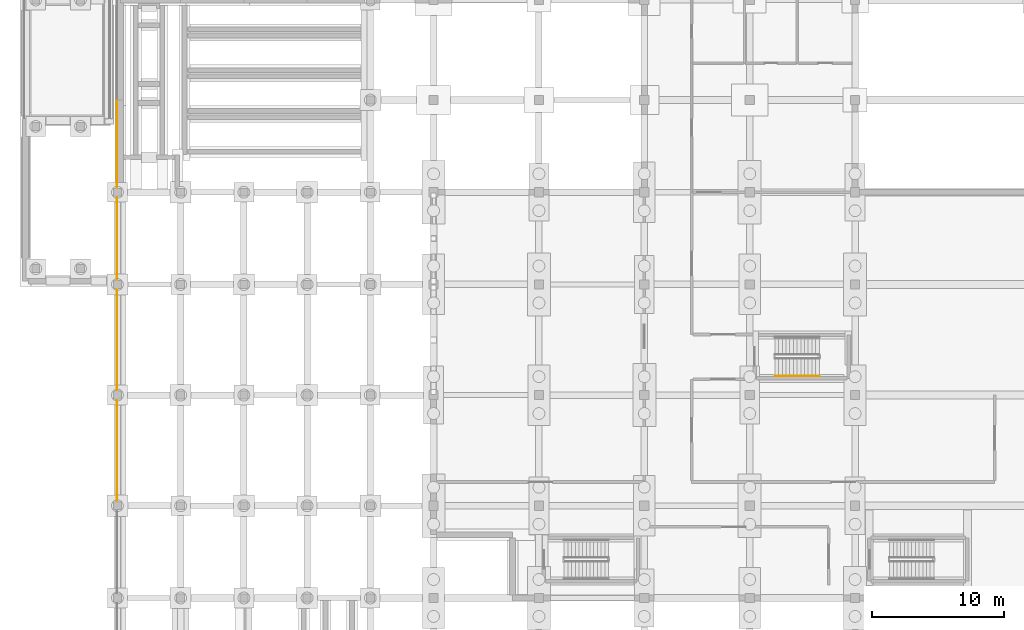
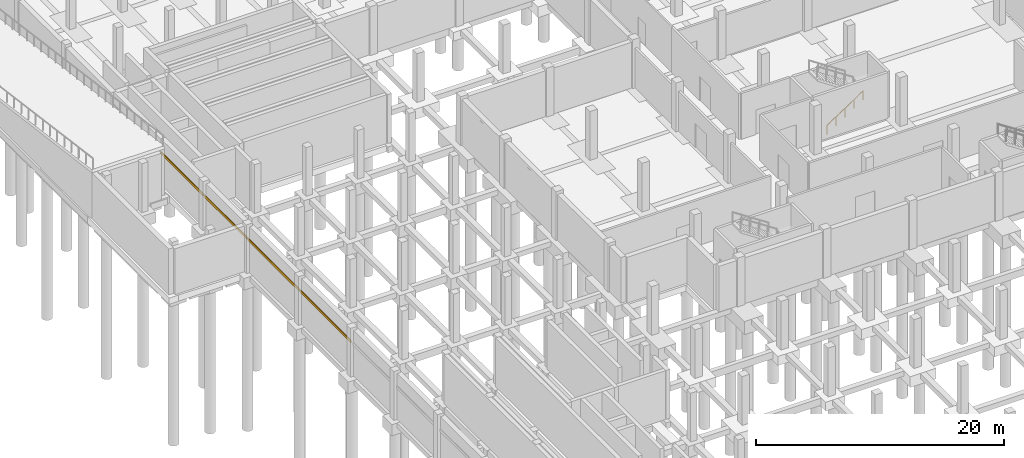
# One storey, part 44 of 50: 4 coverings, 1 railing.
"""IFC4 building model written with IfcOpenShell, lengths in metres."""

from ifc_helpers import new_model, si_unit, direction, frame, origin, origin_2d, place, context, subcontext, project, spatial, rectangle, circle, extrude, material, layer, layer_set, type_object, element, save


model = new_model("IFC4")

# Units and contexts
model_context = context("Model", 3, precision=1e-05, world=origin(), true_north=direction((0.0, 1.0)))
body_context = subcontext(model_context, "Body", "Model", "MODEL_VIEW")
ifc_project = project(units=[si_unit("LENGTHUNIT", "METRE"), si_unit("AREAUNIT", "SQUARE_METRE"), si_unit("VOLUMEUNIT", "CUBIC_METRE"), si_unit("PLANEANGLEUNIT", "RADIAN"), si_unit("MASSUNIT", "GRAM", prefix="KILO")], contexts=[model_context])

# Site, building, storey
site_placement = place(None, origin())
site = spatial("IfcSite", under=ifc_project, at=site_placement, CompositionType="ELEMENT")
building_placement = place(site_placement, origin())
building = spatial("IfcBuilding", under=site, at=building_placement, Name="Vekula Escarpment Museum", CompositionType="ELEMENT")
storey_placement = place(building_placement, frame((0.0, 0.0, -4.800048828125)))
storey = spatial("IfcBuildingStorey", under=building, at=storey_placement, Name="B1", CompositionType="ELEMENT", Elevation=-4.800048828125)

# Coverings
ifc_material_1 = material(Name="Polychrome limestone almasik string-course band", Category="masonry")
ifc_layer = layer(ifc_material_1, 0.06005859375)
ifc_layer_set = layer_set([ifc_layer], Name="Polychrome limestone almasik string-course band")
covering_type = type_object("IfcCoveringType", Name="COV-ALM-BAND", PredefinedType="CLADDING", material=ifc_layer_set)
for number, where, z_axis, x_axis, name in (
    (1, (-0.02587890625, 86.89990234375, 3.06982421875), (0.0, 0.0, 1.0), (0.0, 1.0, 0.0), "Plinth Almasik Stone Band 0763"),
    (2, (-0.02587890625, 79.89990234375, 3.06982421875), (0.0, 0.0, 1.0), (0.0, 1.0, 0.0), "Plinth Almasik Stone Band 0764"),
):
    element("IfcCovering", number, at=place(storey_placement, frame(where, z_axis=z_axis, x_axis=x_axis)), inside=storey, type_object=covering_type, Name=name, PredefinedType="CLADDING", context=body_context, shape_type="SweptSolid", body=[
        extrude(rectangle(XDim=6.8798828125, YDim=0.06005859375, at=origin_2d()), origin(), (0.0, 0.0, 1.0), 0.260009765625),
    ])
for number, where, z_axis, x_axis, name in (
    (3, (-0.02587890625, 72.199951171875, 3.06982421875), (0.0, 0.0, 1.0), (0.0, 1.0, 0.0), "Plinth Almasik Stone Band 0765"),
    (4, (-0.02587890625, 63.800048828125, 3.06982421875), (0.0, 0.0, 1.0), (0.0, 1.0, 0.0), "Plinth Almasik Stone Band 0766"),
):
    element("IfcCovering", number, at=place(storey_placement, frame(where, z_axis=z_axis, x_axis=x_axis)), inside=storey, type_object=covering_type, Name=name, PredefinedType="CLADDING", context=body_context, shape_type="SweptSolid", body=[
        extrude(rectangle(XDim=8.280029296875, YDim=0.06005859375, at=origin_2d()), origin(), (0.0, 0.0, 1.0), 0.260009765625),
    ])

# Railing
ifc_material_2 = material(Name="Brushed stainless steel handrail", Category="steel")
railing_type = type_object("IfcRailingType", Name="RL-STAIR-HAND", PredefinedType="HANDRAIL", material=ifc_material_2)
railing_placement = place(storey_placement, frame((49.919921875, 69.449951171875, 0.1845703125)))
element("IfcRailing", 5, at=railing_placement, inside=storey, type_object=railing_type, Name="B1 ST-10 stair handrail 1", PredefinedType="HANDRAIL", context=body_context, shape_type="SweptSolid", body=[
    extrude(circle(Radius=0.02392578125, at=origin_2d()), frame((0.0, 0.0, 0.8759765625), z_axis=(0.834848600103, 0.0, 0.550479622607), x_axis=(0.0, 1.0, 0.0)), (0.0, 0.0, 1.0), 4.02490234375),
    extrude(circle(Radius=0.02099609375, at=origin_2d()), origin(), (0.0, 0.0, 1.0), 0.851806640625),
    extrude(circle(Radius=0.02099609375, at=origin_2d()), frame((0.840087890625, 0.0, 0.553955078125)), (0.0, 0.0, 1.0), 0.851806640625),
    extrude(circle(Radius=0.02099609375, at=origin_2d()), frame((1.68017578125, 0.0, 1.10791015625)), (0.0, 0.0, 1.0), 0.851806640625),
    extrude(circle(Radius=0.02099609375, at=origin_2d()), frame((2.52001953125, 0.0, 1.66162109375)), (0.0, 0.0, 1.0), 0.851806640625),
    extrude(circle(Radius=0.02099609375, at=origin_2d()), frame((3.360107421875, 0.0, 2.215576171875)), (0.0, 0.0, 1.0), 0.851806640625),
])

save(model, "model.ifc")
